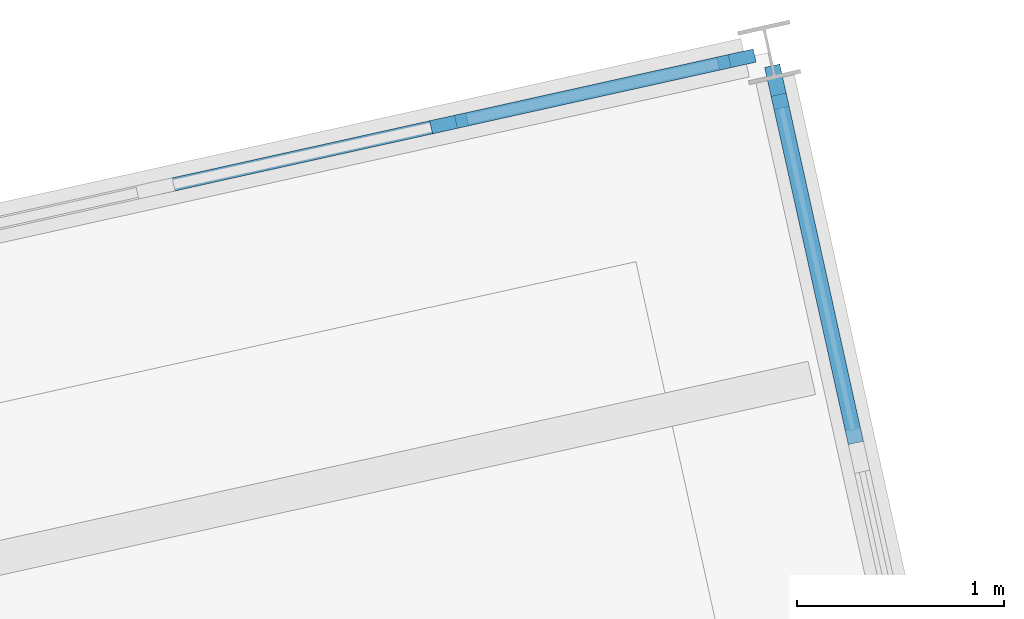
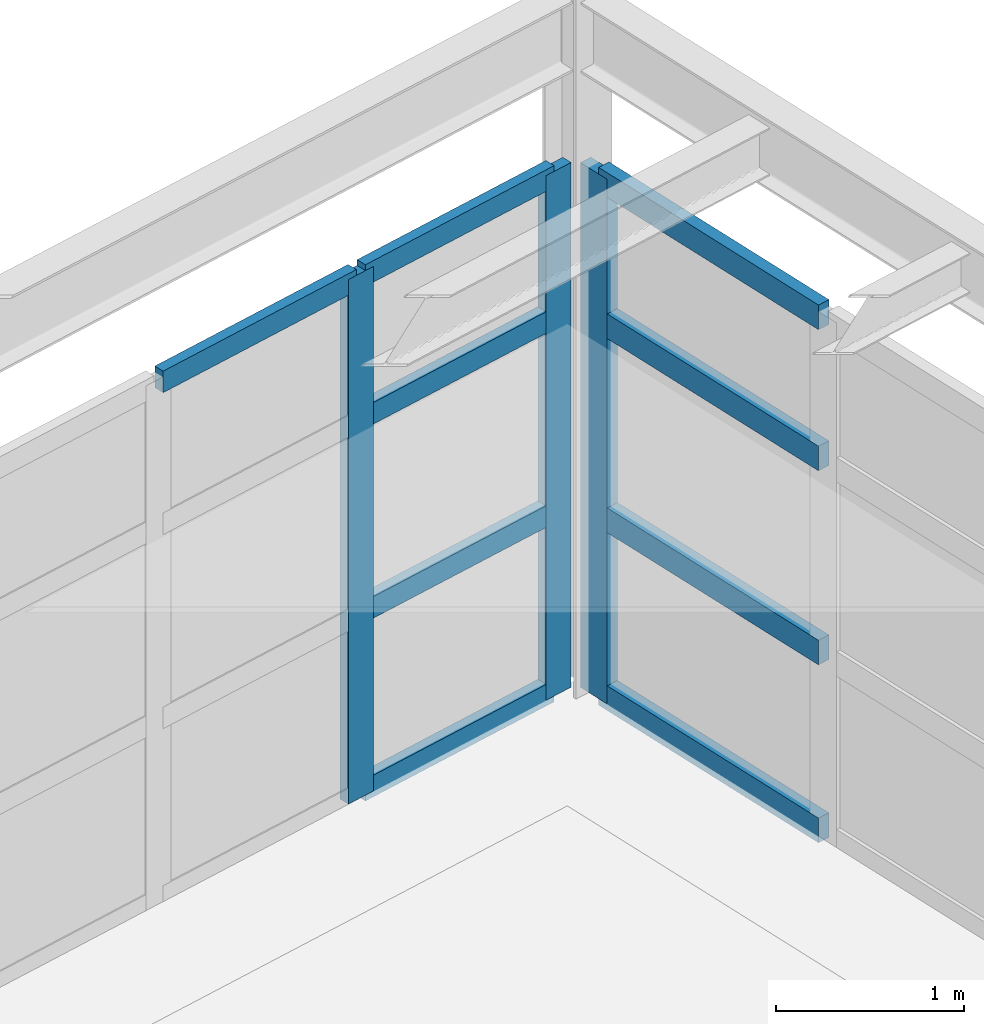
# One storey, part 32 of 59: 12 members, 2 elements without a shape of their own.
"""IFC4 building model written with IfcOpenShell, lengths in metres."""

from ifc_helpers import new_model, si_unit, direction, frame, origin, origin_2d, place, context, subcontext, project, spatial, rectangle, extrude, material, layer, layer_set, material_profile, profile_set, type_object, element, aggregate, save


model = new_model("IFC4")

# Units and contexts
model_context = context("Model", 3, precision=1e-05, world=origin(), true_north=direction((0.0, 1.0)))
body_context = subcontext(model_context, "Body", "Model", "MODEL_VIEW")
ifc_project = project(units=[si_unit("LENGTHUNIT", "METRE"), si_unit("AREAUNIT", "SQUARE_METRE"), si_unit("VOLUMEUNIT", "CUBIC_METRE"), si_unit("PLANEANGLEUNIT", "RADIAN"), si_unit("MASSUNIT", "GRAM", prefix="KILO")], contexts=[model_context])

# Site, building, storey
site_placement = place(None, origin())
site = spatial("IfcSite", under=ifc_project, at=site_placement, CompositionType="ELEMENT")
building_placement = place(site_placement, origin())
building = spatial("IfcBuilding", under=site, at=building_placement, Name="Vireo Bluff Cable Station", CompositionType="ELEMENT")
storey_placement = place(building_placement, frame((0.0, 0.0, 14.39990234375)))
storey = spatial("IfcBuildingStorey", under=building, at=storey_placement, Name="L03", CompositionType="ELEMENT", Elevation=14.39990234375)

# Curtain wall, members
ifc_material = material(Name="Anodized Aluminium 6063-T6", Category="aluminium")
ifc_layer_1 = layer(ifc_material, 0.179931640625, Name="Anodized Aluminium 6063-T6")
ifc_layer_set_1 = layer_set([ifc_layer_1], Name="Anodized Aluminium 6063-T6")
curtain_wall_type_1 = type_object("IfcCurtainWallType", Name="CW-UNIT-1500", PredefinedType="USERDEFINED", material=ifc_layer_set_1)
curtain_wall_1_placement = place(storey_placement, origin())
curtain_wall_1 = element("IfcCurtainWall", 1, at=curtain_wall_1_placement, inside=storey, type_object=curtain_wall_type_1, Name="V2 L03 north curtain wall CW-064", ObjectType="UNITISED CURTAIN WALL", PredefinedType="USERDEFINED")
ifc_material_profile_1 = material_profile(ifc_material, rectangle(XDim=0.06494140625, YDim=0.179931640625, at=origin_2d()), Name="ALU-M-65X180")
ifc_profile_set_1 = profile_set([ifc_material_profile_1], Name="Anodized Aluminium 6063-T6")
member_type_1 = type_object("IfcMemberType", Name="CWM-01", PredefinedType="MULLION", material=ifc_profile_set_1)
member_1_placement = place(storey_placement, frame((153.428466796875, 109.272705078125, 0.0), z_axis=(0.0, 0.0, 1.0), x_axis=(-0.216439656264, 0.976295997736, 0.0)))
member_1 = element("IfcMember", 2, at=member_1_placement, type_object=member_type_1, Name="CW-064 mullion 6", PredefinedType="MULLION", context=body_context, shape_type="SweptSolid", body=[
    extrude(rectangle(XDim=0.06494140625, YDim=0.179931640625, at=origin_2d()), origin(), (0.0, 0.0, 1.0), 3.400146484375),
])
member_2_placement = place(storey_placement, frame((154.819091796875, 109.5810546875, 0.0), z_axis=(0.0, 0.0, 1.0), x_axis=(-0.216439656264, 0.976295997736, 0.0)))
member_2 = element("IfcMember", 3, at=member_2_placement, type_object=member_type_1, Name="CW-064 mullion 7", PredefinedType="MULLION", context=body_context, shape_type="SweptSolid", body=[
    extrude(rectangle(XDim=0.06494140625, YDim=0.179931640625, at=origin_2d()), origin(), (0.0, 0.0, 1.0), 3.400146484375),
])

# Curtain wall, member
ifc_layer_2 = layer(ifc_material, 0.159912109375, Name="Anodized Aluminium 6063-T6")
ifc_layer_set_2 = layer_set([ifc_layer_2], Name="Anodized Aluminium 6063-T6")
curtain_wall_type_2 = type_object("IfcCurtainWallType", Name="CW-STICK-1850", PredefinedType="USERDEFINED", material=ifc_layer_set_2)
curtain_wall_2_placement = place(storey_placement, origin())
curtain_wall_2 = element("IfcCurtainWall", 4, at=curtain_wall_2_placement, inside=storey, type_object=curtain_wall_type_2, Name="V2 L03 east curtain wall CW-065", ObjectType="STICK CURTAIN WALL", PredefinedType="USERDEFINED")
ifc_material_profile_2 = material_profile(ifc_material, rectangle(XDim=0.074951171875, YDim=0.2099609375, at=origin_2d()), Name="ALU-M-75X210")
ifc_profile_set_2 = profile_set([ifc_material_profile_2], Name="Anodized Aluminium 6063-T6")
member_type_2 = type_object("IfcMemberType", Name="CWM-02", PredefinedType="MULLION", material=ifc_profile_set_2)
member_3_placement = place(storey_placement, frame((155.01513671875, 109.44873046875, 0.0), z_axis=(0.0, 0.0, 1.0), x_axis=(0.97629601826, 0.216439563688, 0.0)))
member_3 = element("IfcMember", 5, at=member_3_placement, type_object=member_type_2, Name="CW-065 mullion 1", PredefinedType="MULLION", context=body_context, shape_type="SweptSolid", body=[
    extrude(rectangle(XDim=0.074951171875, YDim=0.2099609375, at=origin_2d()), origin(), (0.0, 0.0, 1.0), 3.400146484375),
])

# Member
ifc_material_profile_3 = material_profile(ifc_material, rectangle(XDim=0.06494140625, YDim=0.139892578125, at=origin_2d()), Name="ALU-T-65X140")
ifc_profile_set_3 = profile_set([ifc_material_profile_3], Name="Anodized Aluminium 6063-T6")
member_type_3 = type_object("IfcMemberType", Name="CWT-01", PredefinedType="USERDEFINED", material=ifc_profile_set_3)
member_4_placement = place(storey_placement, frame((152.0380859375, 108.96435546875, 3.36767578125), z_axis=(0.976286026575, 0.216484628355, 0.0), x_axis=(-0.216484628355, 0.976286026575, 0.0)))
member_4 = element("IfcMember", 6, at=member_4_placement, type_object=member_type_3, Name="CW-064 transom 5.4", ObjectType="TRANSOM", PredefinedType="USERDEFINED", context=body_context, shape_type="SweptSolid", body=[
    extrude(rectangle(XDim=0.06494140625, YDim=0.139892578125, at=origin_2d()), origin(), (0.0, 0.0, 1.0), 1.3916015625),
])

member_5_placement = place(storey_placement, frame((153.460205078125, 109.27978515625, 0.03271484375), z_axis=(0.976301023446, 0.216416985514, 0.0), x_axis=(-0.216416985514, 0.976301023446, 0.0)))
member_5 = element("IfcMember", 7, at=member_5_placement, type_object=member_type_3, Name="CW-064 transom 6.1", ObjectType="TRANSOM", PredefinedType="USERDEFINED", context=body_context, shape_type="SweptSolid", body=[
    extrude(rectangle(XDim=0.06494140625, YDim=0.139892578125, at=origin_2d()), origin(), (0.0, 0.0, 1.0), 1.359375),
])

member_6_placement = place(storey_placement, frame((153.460205078125, 109.27978515625, 1.190185546875), z_axis=(0.976301023446, 0.216416985514, 0.0), x_axis=(-0.216416985514, 0.976301023446, 0.0)))
member_6 = element("IfcMember", 8, at=member_6_placement, type_object=member_type_3, Name="CW-064 transom 6.2", ObjectType="TRANSOM", PredefinedType="USERDEFINED", context=body_context, shape_type="SweptSolid", body=[
    extrude(rectangle(XDim=0.06494140625, YDim=0.139892578125, at=origin_2d()), origin(), (0.0, 0.0, 1.0), 1.359375),
])

member_7_placement = place(storey_placement, frame((153.460205078125, 109.27978515625, 2.447998046875), z_axis=(0.976301023446, 0.216416985514, 0.0), x_axis=(-0.216416985514, 0.976301023446, 0.0)))
member_7 = element("IfcMember", 9, at=member_7_placement, type_object=member_type_3, Name="CW-064 transom 6.3", ObjectType="TRANSOM", PredefinedType="USERDEFINED", context=body_context, shape_type="SweptSolid", body=[
    extrude(rectangle(XDim=0.06494140625, YDim=0.139892578125, at=origin_2d()), origin(), (0.0, 0.0, 1.0), 1.359375),
])

member_8_placement = place(storey_placement, frame((153.460205078125, 109.27978515625, 3.36767578125), z_axis=(0.976301023446, 0.216416985514, 0.0), x_axis=(-0.216416985514, 0.976301023446, 0.0)))
member_8 = element("IfcMember", 10, at=member_8_placement, type_object=member_type_3, Name="CW-064 transom 6.4", ObjectType="TRANSOM", PredefinedType="USERDEFINED", context=body_context, shape_type="SweptSolid", body=[
    extrude(rectangle(XDim=0.06494140625, YDim=0.139892578125, at=origin_2d()), origin(), (0.0, 0.0, 1.0), 1.359375),
])

aggregate(curtain_wall_1, [member_1, member_2, member_4, member_5, member_6, member_7, member_8])

ifc_material_profile_4 = material_profile(ifc_material, rectangle(XDim=0.074951171875, YDim=0.159912109375, at=origin_2d()), Name="ALU-T-75X160")
ifc_profile_set_4 = profile_set([ifc_material_profile_4], Name="Anodized Aluminium 6063-T6")
member_type_4 = type_object("IfcMemberType", Name="CWT-02", PredefinedType="USERDEFINED", material=ifc_profile_set_4)
member_9_placement = place(storey_placement, frame((155.0234375, 109.412109375, 0.03759765625), z_axis=(0.216362183723, -0.976313169764, 0.0), x_axis=(0.976313169764, 0.216362183723, 0.0)))
member_9 = element("IfcMember", 11, at=member_9_placement, type_object=member_type_4, Name="CW-065 transom 1.1", ObjectType="TRANSOM", PredefinedType="USERDEFINED", context=body_context, shape_type="SweptSolid", body=[
    extrude(rectangle(XDim=0.074951171875, YDim=0.159912109375, at=origin_2d()), origin(), (0.0, 0.0, 1.0), 1.728759765625),
])

member_10_placement = place(storey_placement, frame((155.0234375, 109.412109375, 1.190185546875), z_axis=(0.216362183723, -0.976313169764, 0.0), x_axis=(0.976313169764, 0.216362183723, 0.0)))
member_10 = element("IfcMember", 12, at=member_10_placement, type_object=member_type_4, Name="CW-065 transom 1.2", ObjectType="TRANSOM", PredefinedType="USERDEFINED", context=body_context, shape_type="SweptSolid", body=[
    extrude(rectangle(XDim=0.074951171875, YDim=0.159912109375, at=origin_2d()), origin(), (0.0, 0.0, 1.0), 1.728759765625),
])

member_11_placement = place(storey_placement, frame((155.0234375, 109.412109375, 2.447998046875), z_axis=(0.216362183723, -0.976313169764, 0.0), x_axis=(0.976313169764, 0.216362183723, 0.0)))
member_11 = element("IfcMember", 13, at=member_11_placement, type_object=member_type_4, Name="CW-065 transom 1.3", ObjectType="TRANSOM", PredefinedType="USERDEFINED", context=body_context, shape_type="SweptSolid", body=[
    extrude(rectangle(XDim=0.074951171875, YDim=0.159912109375, at=origin_2d()), origin(), (0.0, 0.0, 1.0), 1.728759765625),
])

member_12_placement = place(storey_placement, frame((155.0234375, 109.412109375, 3.362548828125), z_axis=(0.216362183723, -0.976313169764, 0.0), x_axis=(0.976313169764, 0.216362183723, 0.0)))
member_12 = element("IfcMember", 14, at=member_12_placement, type_object=member_type_4, Name="CW-065 transom 1.4", ObjectType="TRANSOM", PredefinedType="USERDEFINED", context=body_context, shape_type="SweptSolid", body=[
    extrude(rectangle(XDim=0.074951171875, YDim=0.159912109375, at=origin_2d()), origin(), (0.0, 0.0, 1.0), 1.728759765625),
])

aggregate(curtain_wall_2, [member_3, member_9, member_10, member_11, member_12])

save(model, "model.ifc")
